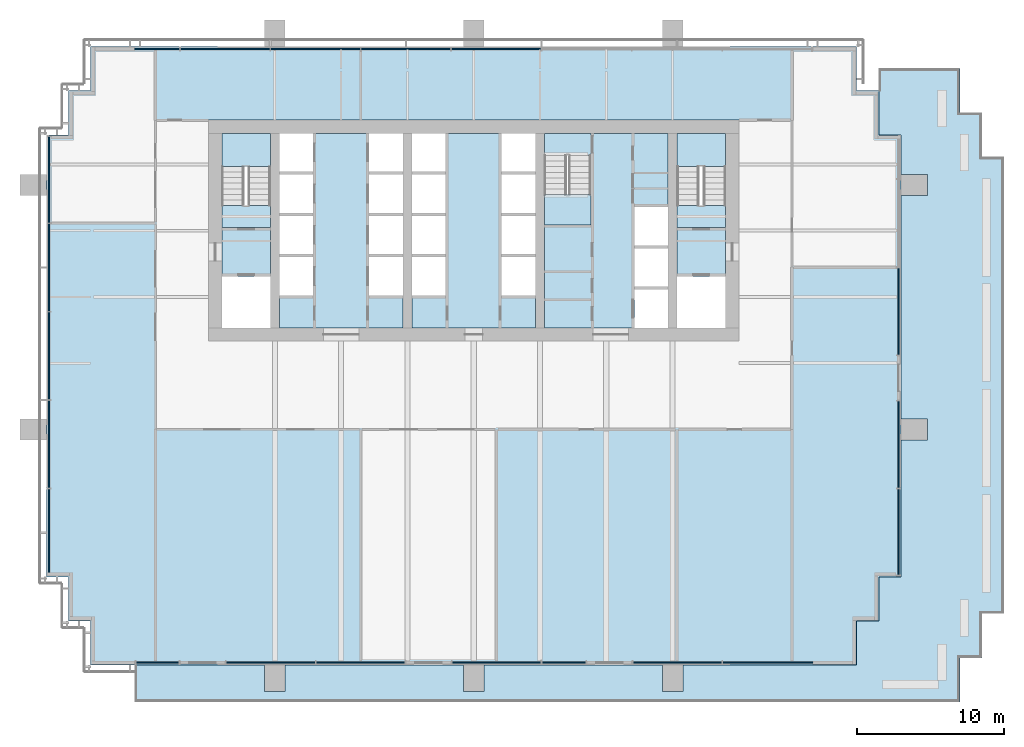
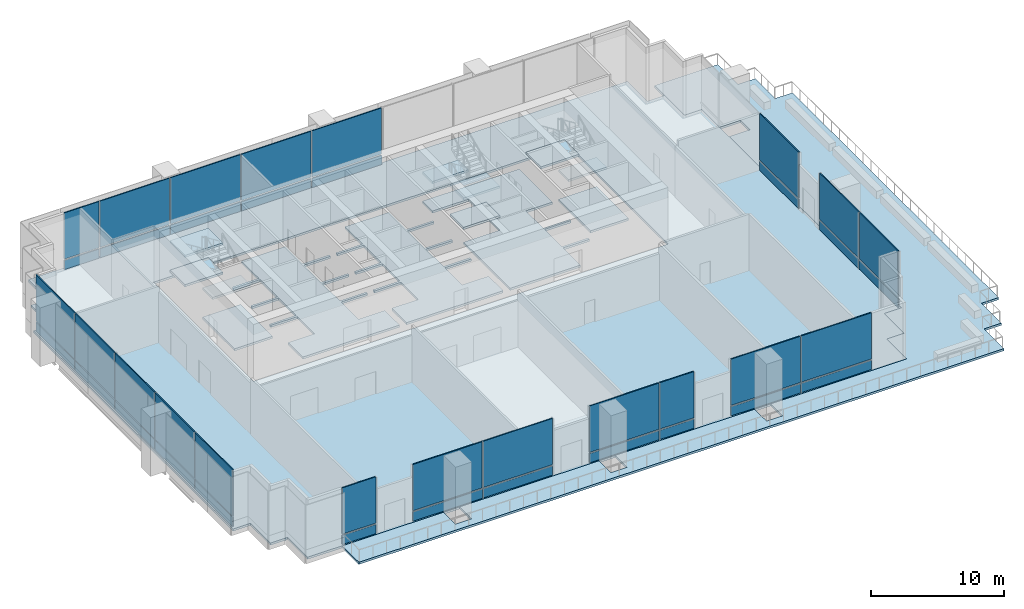
# One storey, part 6 of 14: 40 plates, 15 slabs, 11 elements without a shape of their own.
"""IFC4 building model written with IfcOpenShell, lengths in metres."""

from ifc_helpers import new_model, si_unit, direction, frame, origin, origin_2d, place, context, subcontext, project, spatial, polyline, rectangle, outline, extrude, material, layer, layer_set, type_object, element, aggregate, save


model = new_model("IFC4")

# Units and contexts
model_context = context("Model", 3, precision=1e-05, world=origin(), true_north=direction((0.0, 1.0)))
body_context = subcontext(model_context, "Body", "Model", "MODEL_VIEW")
ifc_project = project(units=[si_unit("LENGTHUNIT", "METRE"), si_unit("AREAUNIT", "SQUARE_METRE"), si_unit("VOLUMEUNIT", "CUBIC_METRE"), si_unit("PLANEANGLEUNIT", "RADIAN"), si_unit("MASSUNIT", "GRAM", prefix="KILO")], contexts=[model_context])

# Site, building, storey
site_placement = place(None, origin())
site = spatial("IfcSite", under=ifc_project, at=site_placement, CompositionType="ELEMENT")
building_placement = place(site_placement, origin())
building = spatial("IfcBuilding", under=site, at=building_placement, Name="Rattan Terrace Tower", CompositionType="ELEMENT")
storey_placement = place(building_placement, frame((0.0, 0.0, 120.699951171875)))
storey = spatial("IfcBuildingStorey", under=building, at=storey_placement, Name="L27", CompositionType="ELEMENT", Elevation=120.699951171875)

# Stair, slabs
ifc_material_1 = material(Name="Concrete C40/50", Category="concrete")
stair_type = type_object("IfcStairType", Name="Core exit stair 1500", PredefinedType="HALF_TURN_STAIR", material=ifc_material_1)
stair_1_placement = place(storey_placement, origin())
stair_1 = element("IfcStair", 1, at=stair_1_placement, inside=storey, type_object=stair_type, Name="L27 exit stair 1", PredefinedType="HALF_TURN_STAIR")
ifc_material_2 = material(Name="Concrete C40/50", Category="concrete")
ifc_layer_1 = layer(ifc_material_2, 0.199951171875)
ifc_layer_set_1 = layer_set([ifc_layer_1], Name="Core exit stair landing")
slab_type_1 = type_object("IfcSlabType", Name="Core exit stair landing", PredefinedType="LANDING", material=ifc_layer_set_1)
slab_1_placement = place(storey_placement, frame((0.0, 0.0, 1.150146484375)))
slab_1 = element("IfcSlab", 2, at=slab_1_placement, type_object=slab_type_1, Name="S1 landing 1", PredefinedType="LANDING", context=body_context, shape_type="SweptSolid", body=[
    extrude(outline(polyline([(-13.800048828125, 4.360107421875), (-13.800048828125, 6.60009765625), (-17.10009765625, 6.60009765625), (-17.10009765625, 4.360107421875), (-13.800048828125, 4.360107421875)])), origin(), (0.0, 0.0, 1.0), 0.199951171875),
])
slab_2_placement = place(storey_placement, frame((0.0, 0.0, 2.5)))
slab_2 = element("IfcSlab", 3, at=slab_2_placement, type_object=slab_type_1, Name="S1 landing 2", PredefinedType="LANDING", context=body_context, shape_type="SweptSolid", body=[
    extrude(outline(polyline([(-13.800048828125, 0.199951171875), (-13.800048828125, 1.699951171875), (-17.10009765625, 1.699951171875), (-17.10009765625, 0.199951171875), (-13.800048828125, 0.199951171875)])), origin(), (0.0, 0.0, 1.0), 0.199951171875),
])
slab_3_placement = place(storey_placement, frame((0.0, 0.0, 3.85009765625)))
slab_3 = element("IfcSlab", 4, at=slab_3_placement, type_object=slab_type_1, Name="S1 landing 3", PredefinedType="LANDING", context=body_context, shape_type="SweptSolid", body=[
    extrude(outline(polyline([(-13.800048828125, 4.360107421875), (-13.800048828125, 6.60009765625), (-17.10009765625, 6.60009765625), (-17.10009765625, 4.360107421875), (-13.800048828125, 4.360107421875)])), origin(), (0.0, 0.0, 1.0), 0.199951171875),
])
aggregate(stair_1, [slab_1, slab_2, slab_3])

stair_2_placement = place(storey_placement, origin())
stair_2 = element("IfcStair", 5, at=stair_2_placement, inside=storey, type_object=stair_type, Name="L27 exit stair 2", PredefinedType="HALF_TURN_STAIR")
slab_4_placement = place(storey_placement, frame((0.0, 0.0, 1.150146484375)))
slab_4 = element("IfcSlab", 6, at=slab_4_placement, type_object=slab_type_1, Name="S2 landing 1", PredefinedType="LANDING", context=body_context, shape_type="SweptSolid", body=[
    extrude(outline(polyline([(17.10009765625, 4.360107421875), (17.10009765625, 6.60009765625), (13.800048828125, 6.60009765625), (13.800048828125, 4.360107421875), (17.10009765625, 4.360107421875)])), origin(), (0.0, 0.0, 1.0), 0.199951171875),
])
slab_5_placement = place(storey_placement, frame((0.0, 0.0, 2.5)))
slab_5 = element("IfcSlab", 7, at=slab_5_placement, type_object=slab_type_1, Name="S2 landing 2", PredefinedType="LANDING", context=body_context, shape_type="SweptSolid", body=[
    extrude(outline(polyline([(17.10009765625, 0.199951171875), (17.10009765625, 1.699951171875), (13.800048828125, 1.699951171875), (13.800048828125, 0.199951171875), (17.10009765625, 0.199951171875)])), origin(), (0.0, 0.0, 1.0), 0.199951171875),
])
aggregate(stair_2, [slab_4, slab_5])

stair_3_placement = place(storey_placement, origin())
stair_3 = element("IfcStair", 8, at=stair_3_placement, inside=storey, type_object=stair_type, Name="L27 exit stair 3", PredefinedType="HALF_TURN_STAIR")
slab_6_placement = place(storey_placement, frame((0.0, 0.0, 1.150146484375)))
slab_6 = element("IfcSlab", 9, at=slab_6_placement, type_object=slab_type_1, Name="S3 landing 1", PredefinedType="LANDING", context=body_context, shape_type="SweptSolid", body=[
    extrude(outline(polyline([(4.800048828125, 2.43994140625), (4.800048828125, 0.39990234375), (7.949951171875, 0.39990234375), (7.949951171875, 2.43994140625), (4.800048828125, 2.43994140625)])), origin(), (0.0, 0.0, 1.0), 0.199951171875),
])
slab_7_placement = place(storey_placement, frame((0.0, 0.0, 2.5)))
slab_7 = element("IfcSlab", 10, at=slab_7_placement, type_object=slab_type_1, Name="S3 landing 2", PredefinedType="LANDING", context=body_context, shape_type="SweptSolid", body=[
    extrude(outline(polyline([(4.800048828125, 6.60009765625), (4.800048828125, 5.10009765625), (7.949951171875, 5.10009765625), (7.949951171875, 6.60009765625), (4.800048828125, 6.60009765625)])), origin(), (0.0, 0.0, 1.0), 0.199951171875),
])
slab_8_placement = place(storey_placement, frame((0.0, 0.0, 3.85009765625)))
slab_8 = element("IfcSlab", 11, at=slab_8_placement, type_object=slab_type_1, Name="S3 landing 3", PredefinedType="LANDING", context=body_context, shape_type="SweptSolid", body=[
    extrude(outline(polyline([(4.800048828125, 2.43994140625), (4.800048828125, 0.39990234375), (7.949951171875, 0.39990234375), (7.949951171875, 2.43994140625), (4.800048828125, 2.43994140625)])), origin(), (0.0, 0.0, 1.0), 0.199951171875),
])
aggregate(stair_3, [slab_6, slab_7, slab_8])

# Slabs
ifc_material_3 = material(Name="Concrete C35/45", Category="concrete")
ifc_layer_2 = layer(ifc_material_3, 0.199951171875)
ifc_layer_set_2 = layer_set([ifc_layer_2], Name="Frame refuge floor slab 200")
slab_type_2 = type_object("IfcSlabType", Name="Frame refuge floor slab 200", PredefinedType="FLOOR", material=ifc_layer_set_2)
slab_9_placement = place(storey_placement, frame((0.0, 0.0, -0.199951171875)))
element("IfcSlab", 12, at=slab_9_placement, inside=storey, type_object=slab_type_2, Name="Floor slab", PredefinedType="FLOOR", context=body_context, shape_type="SweptSolid", body=[
    extrude(outline(polyline([(-23.0, -29.5), (23.0, -29.5), (26.0, -29.5), (26.0, -26.5), (27.5, -26.5), (27.5, -23.5), (29.0, -23.5), (29.0, 6.5), (27.5, 6.5), (27.5, 9.5), (26.0, 9.5), (26.0, 12.5), (23.0, 12.5), (-23.0, 12.5), (-26.0, 12.5), (-26.0, 9.5), (-27.5, 9.5), (-27.5, 6.5), (-29.0, 6.5), (-29.0, -23.5), (-27.5, -23.5), (-27.5, -26.5), (-26.0, -26.5), (-26.0, -29.5), (-23.0, -29.5)]), holes=[polyline([(-18.0, -6.60009765625), (-18.0, -7.5), (18.0, -7.5), (18.0, -6.60009765625), (18.0, 6.60009765625), (18.0, 7.5), (-18.0, 7.5), (-18.0, 6.60009765625), (-18.0, -6.60009765625)])]), origin(), (0.0, 0.0, 1.0), 0.199951171875),
])
slab_10_placement = place(storey_placement, frame((0.0, 0.0, -0.199951171875)))
element("IfcSlab", 13, at=slab_10_placement, inside=storey, type_object=slab_type_2, Name="Floor slab", PredefinedType="FLOOR", context=body_context, shape_type="SweptSolid", body=[
    extrude(outline(polyline([(-10.89990234375, 6.60009765625), (-10.89990234375, 4.0), (-13.199951171875, 4.0), (-13.199951171875, 3.800048828125), (-10.89990234375, 3.800048828125), (-10.89990234375, 1.199951171875), (-13.199951171875, 1.199951171875), (-13.199951171875, 1.0), (-10.89990234375, 1.0), (-10.89990234375, -1.60009765625), (-13.199951171875, -1.60009765625), (-13.199951171875, -1.800048828125), (-10.89990234375, -1.800048828125), (-10.89990234375, -4.39990234375), (-13.199951171875, -4.39990234375), (-13.199951171875, -6.60009765625), (-4.800048828125, -6.60009765625), (-4.800048828125, -4.39990234375), (-7.10009765625, -4.39990234375), (-7.10009765625, -1.800048828125), (-4.800048828125, -1.800048828125), (-4.800048828125, -1.60009765625), (-7.10009765625, -1.60009765625), (-7.10009765625, 1.0), (-4.800048828125, 1.0), (-4.800048828125, 1.199951171875), (-7.10009765625, 1.199951171875), (-7.10009765625, 3.800048828125), (-4.800048828125, 3.800048828125), (-4.800048828125, 4.0), (-7.10009765625, 4.0), (-7.10009765625, 6.60009765625), (-10.89990234375, 6.60009765625)])), origin(), (0.0, 0.0, 1.0), 0.199951171875),
])
slab_11_placement = place(storey_placement, frame((0.0, 0.0, -0.199951171875)))
element("IfcSlab", 14, at=slab_11_placement, inside=storey, type_object=slab_type_2, Name="Floor slab", PredefinedType="FLOOR", context=body_context, shape_type="SweptSolid", body=[
    extrude(outline(polyline([(-17.10009765625, -3.10009765625), (-13.800048828125, -3.10009765625), (-13.800048828125, 1.7099609375), (-17.10009765625, 1.7099609375), (-17.10009765625, -3.10009765625)])), origin(), (0.0, 0.0, 1.0), 0.199951171875),
])
slab_12_placement = place(storey_placement, frame((0.0, 0.0, -0.199951171875)))
element("IfcSlab", 15, at=slab_12_placement, inside=storey, type_object=slab_type_2, Name="Floor slab", PredefinedType="FLOOR", context=body_context, shape_type="SweptSolid", body=[
    extrude(outline(polyline([(-4.199951171875, 4.0), (-4.199951171875, 3.800048828125), (-1.89990234375, 3.800048828125), (-1.89990234375, 1.199951171875), (-4.199951171875, 1.199951171875), (-4.199951171875, 1.0), (-1.89990234375, 1.0), (-1.89990234375, -1.60009765625), (-4.199951171875, -1.60009765625), (-4.199951171875, -1.800048828125), (-1.89990234375, -1.800048828125), (-1.89990234375, -4.39990234375), (-4.199951171875, -4.39990234375), (-4.199951171875, -6.60009765625), (4.199951171875, -6.60009765625), (4.199951171875, -4.39990234375), (1.89990234375, -4.39990234375), (1.89990234375, -1.800048828125), (4.199951171875, -1.800048828125), (4.199951171875, -1.60009765625), (1.89990234375, -1.60009765625), (1.89990234375, 1.0), (4.199951171875, 1.0), (4.199951171875, 1.199951171875), (1.89990234375, 1.199951171875), (1.89990234375, 3.800048828125), (4.199951171875, 3.800048828125), (4.199951171875, 4.0), (1.89990234375, 4.0), (1.89990234375, 6.60009765625), (-1.89990234375, 6.60009765625), (-1.89990234375, 4.0), (-4.199951171875, 4.0)])), origin(), (0.0, 0.0, 1.0), 0.199951171875),
])
slab_13_placement = place(storey_placement, frame((0.0, 0.0, -0.199951171875)))
element("IfcSlab", 16, at=slab_13_placement, inside=storey, type_object=slab_type_2, Name="Floor slab", PredefinedType="FLOOR", context=body_context, shape_type="SweptSolid", body=[
    extrude(outline(polyline([(4.800048828125, 5.090087890625), (7.949951171875, 5.090087890625), (7.949951171875, 0.39990234375), (4.800048828125, 0.39990234375), (4.800048828125, -6.60009765625), (10.89990234375, -6.60009765625), (10.89990234375, -4.0), (13.199951171875, -4.0), (13.199951171875, -3.800048828125), (10.89990234375, -3.800048828125), (10.89990234375, -1.199951171875), (13.199951171875, -1.199951171875), (13.199951171875, -1.0), (10.89990234375, -1.0), (10.89990234375, 1.60009765625), (13.199951171875, 1.60009765625), (13.199951171875, 6.60009765625), (4.800048828125, 6.60009765625), (4.800048828125, 5.090087890625)])), origin(), (0.0, 0.0, 1.0), 0.199951171875),
])
slab_14_placement = place(storey_placement, frame((0.0, 0.0, -0.199951171875)))
element("IfcSlab", 17, at=slab_14_placement, inside=storey, type_object=slab_type_2, Name="Floor slab", PredefinedType="FLOOR", context=body_context, shape_type="SweptSolid", body=[
    extrude(outline(polyline([(13.800048828125, -3.10009765625), (17.10009765625, -3.10009765625), (17.10009765625, 1.7099609375), (13.800048828125, 1.7099609375), (13.800048828125, -3.10009765625)])), origin(), (0.0, 0.0, 1.0), 0.199951171875),
])
ifc_material_4 = material(Name="Concrete C35/45", Category="concrete")
ifc_layer_3 = layer(ifc_material_4, 0.199951171875)
ifc_layer_set_3 = layer_set([ifc_layer_3], Name="Frame terrace slab 200")
slab_type_3 = type_object("IfcSlabType", Name="Frame terrace slab 200", PredefinedType="ROOF", material=ifc_layer_set_3)
slab_15_placement = place(storey_placement, frame((0.0, 0.0, -0.199951171875)))
element("IfcSlab", 18, at=slab_15_placement, inside=storey, type_object=slab_type_3, Name="Terrace slab", PredefinedType="ROOF", context=body_context, shape_type="SweptSolid", body=[
    extrude(outline(polyline([(29.0, 6.5), (29.0, 3.800048828125), (30.800048828125, 3.800048828125), (30.800048828125, 2.39990234375), (29.0, 2.39990234375), (29.0, -12.800048828125), (30.800048828125, -12.800048828125), (30.800048828125, -14.199951171875), (29.0, -14.199951171875), (29.0, -23.5), (27.5, -23.5), (27.5, -26.5), (26.0, -26.5), (26.0, -29.5), (14.199951171875, -29.5), (14.199951171875, -31.300048828125), (12.800048828125, -31.300048828125), (12.800048828125, -29.5), (0.699951171875, -29.5), (0.699951171875, -31.300048828125), (-0.699951171875, -31.300048828125), (-0.699951171875, -29.5), (-12.800048828125, -29.5), (-12.800048828125, -31.300048828125), (-14.199951171875, -31.300048828125), (-14.199951171875, -29.5), (-23.0, -29.5), (-23.0, -32.0), (33.0, -32.0), (33.0, -29.0), (34.5, -29.0), (34.5, -26.0), (36.0, -26.0), (36.0, 5.0), (34.5, 5.0), (34.5, 8.0), (33.0, 8.0), (33.0, 11.0), (27.5, 11.0), (27.5, 6.5), (29.0, 6.5)])), origin(), (0.0, 0.0, 1.0), 0.199951171875),
])

# Curtain wall, plates
ifc_material_5 = material(Name="Steel fins, aluminium and glass", Category="steel")
ifc_layer_4 = layer(ifc_material_5, 0.300048828125)
ifc_layer_set_4 = layer_set([ifc_layer_4], Name="Sky Lobby Stick Curtain Wall")
curtain_wall_type = type_object("IfcCurtainWallType", Name="Sky Lobby Stick Curtain Wall", PredefinedType="NOTDEFINED", material=ifc_layer_set_4)
curtain_wall_1_placement = place(storey_placement, origin())
curtain_wall_1 = element("IfcCurtainWall", 19, at=curtain_wall_1_placement, inside=storey, type_object=curtain_wall_type, Name="Sky lobby curtain wall L27-1", PredefinedType="NOTDEFINED")
ifc_material_6 = material(Name="Insulated aluminium spandrel panel", Category="aluminium")
ifc_layer_5 = layer(ifc_material_6, 0.10009765625)
ifc_layer_set_5 = layer_set([ifc_layer_5], Name="Sky Lobby CW Insulated Panel")
plate_type_1 = type_object("IfcPlateType", Name="Sky Lobby CW Insulated Panel", PredefinedType="CURTAIN_PANEL", material=ifc_layer_set_5)
plate_1_placement = place(storey_placement, frame((28.830078125, -20.45751953125, 0.0), z_axis=(0.0, 0.0, 1.0), x_axis=(0.0, 1.0, 0.0)))
plate_1 = element("IfcPlate", 20, at=plate_1_placement, type_object=plate_type_1, Name="Panel cwl-L27-001.1.1", PredefinedType="CURTAIN_PANEL", context=body_context, shape_type="SweptSolid", body=[
    extrude(rectangle(XDim=5.8349609375, YDim=0.10009765625, at=origin_2d()), origin(), (0.0, 0.0, 1.0), 0.840087890625),
])
plate_2_placement = place(storey_placement, frame((28.830078125, -14.52001953125, 0.0), z_axis=(0.0, 0.0, 1.0), x_axis=(0.0, 1.0, 0.0)))
plate_2 = element("IfcPlate", 21, at=plate_2_placement, type_object=plate_type_1, Name="Panel cwl-L27-001.2.1", PredefinedType="CURTAIN_PANEL", context=body_context, shape_type="SweptSolid", body=[
    extrude(rectangle(XDim=5.8798828125, YDim=0.10009765625, at=origin_2d()), origin(), (0.0, 0.0, 1.0), 0.840087890625),
])

# Curtain wall, plate
curtain_wall_2_placement = place(storey_placement, origin())
curtain_wall_2 = element("IfcCurtainWall", 22, at=curtain_wall_2_placement, inside=storey, type_object=curtain_wall_type, Name="Sky lobby curtain wall L27-2", PredefinedType="NOTDEFINED")
plate_3_placement = place(storey_placement, frame((28.830078125, -5.47998046875, 0.0), z_axis=(0.0, 0.0, 1.0), x_axis=(0.0, 1.0, 0.0)))
plate_3 = element("IfcPlate", 23, at=plate_3_placement, type_object=plate_type_1, Name="Panel cwl-L27-002.1.1", PredefinedType="CURTAIN_PANEL", context=body_context, shape_type="SweptSolid", body=[
    extrude(rectangle(XDim=5.8798828125, YDim=0.10009765625, at=origin_2d()), origin(), (0.0, 0.0, 1.0), 0.840087890625),
])

# Curtain wall, plates
curtain_wall_3_placement = place(storey_placement, origin())
curtain_wall_3 = element("IfcCurtainWall", 24, at=curtain_wall_3_placement, inside=storey, type_object=curtain_wall_type, Name="Sky lobby curtain wall L27-3", PredefinedType="NOTDEFINED")
plate_4_placement = place(storey_placement, frame((1.531005859375, 12.330078125, 0.0), z_axis=(0.0, 0.0, 1.0), x_axis=(-1.0, 0.0, 0.0)))
plate_4 = element("IfcPlate", 25, at=plate_4_placement, type_object=plate_type_1, Name="Panel cwl-L27-003.4.1", PredefinedType="CURTAIN_PANEL", context=body_context, shape_type="SweptSolid", body=[
    extrude(rectangle(XDim=6.053955078125, YDim=0.10009765625, at=origin_2d()), origin(), (0.0, 0.0, 1.0), 0.840087890625),
])
plate_5_placement = place(storey_placement, frame((-4.60302734375, 12.330078125, 0.0), z_axis=(0.0, 0.0, 1.0), x_axis=(-1.0, 0.0, 0.0)))
plate_5 = element("IfcPlate", 26, at=plate_5_placement, type_object=plate_type_1, Name="Panel cwl-L27-003.5.1", PredefinedType="CURTAIN_PANEL", context=body_context, shape_type="SweptSolid", body=[
    extrude(rectangle(XDim=6.053955078125, YDim=0.10009765625, at=origin_2d()), origin(), (0.0, 0.0, 1.0), 0.840087890625),
])
plate_6_placement = place(storey_placement, frame((-10.737060546875, 12.330078125, 0.0), z_axis=(0.0, 0.0, 1.0), x_axis=(-1.0, 0.0, 0.0)))
plate_6 = element("IfcPlate", 27, at=plate_6_placement, type_object=plate_type_1, Name="Panel cwl-L27-003.6.1", PredefinedType="CURTAIN_PANEL", context=body_context, shape_type="SweptSolid", body=[
    extrude(rectangle(XDim=6.053955078125, YDim=0.10009765625, at=origin_2d()), origin(), (0.0, 0.0, 1.0), 0.840087890625),
])
plate_7_placement = place(storey_placement, frame((-16.87109375, 12.330078125, 0.0), z_axis=(0.0, 0.0, 1.0), x_axis=(-1.0, 0.0, 0.0)))
plate_7 = element("IfcPlate", 28, at=plate_7_placement, type_object=plate_type_1, Name="Panel cwl-L27-003.7.1", PredefinedType="CURTAIN_PANEL", context=body_context, shape_type="SweptSolid", body=[
    extrude(rectangle(XDim=6.053955078125, YDim=0.10009765625, at=origin_2d()), origin(), (0.0, 0.0, 1.0), 0.840087890625),
])
plate_8_placement = place(storey_placement, frame((-21.489013671875, 12.330078125, 0.0), z_axis=(0.0, 0.0, 1.0), x_axis=(-1.0, 0.0, 0.0)))
plate_8 = element("IfcPlate", 29, at=plate_8_placement, type_object=plate_type_1, Name="Panel cwl-L27-003.8.1", PredefinedType="CURTAIN_PANEL", context=body_context, shape_type="SweptSolid", body=[
    extrude(rectangle(XDim=3.02197265625, YDim=0.10009765625, at=origin_2d()), origin(), (0.0, 0.0, 1.0), 0.840087890625),
])

curtain_wall_4_placement = place(storey_placement, origin())
curtain_wall_4 = element("IfcCurtainWall", 30, at=curtain_wall_4_placement, inside=storey, type_object=curtain_wall_type, Name="Sky lobby curtain wall L27-4", PredefinedType="NOTDEFINED")
plate_9_placement = place(storey_placement, frame((-28.830078125, 3.45751953125, 0.0), z_axis=(0.0, 0.0, 1.0), x_axis=(0.0, -1.0, 0.0)))
plate_9 = element("IfcPlate", 31, at=plate_9_placement, type_object=plate_type_1, Name="Panel cwl-L27-004.1.1", PredefinedType="CURTAIN_PANEL", context=body_context, shape_type="SweptSolid", body=[
    extrude(rectangle(XDim=5.8349609375, YDim=0.10009765625, at=origin_2d()), origin(), (0.0, 0.0, 1.0), 0.840087890625),
])
plate_10_placement = place(storey_placement, frame((-28.830078125, -2.5, 0.0), z_axis=(0.0, 0.0, 1.0), x_axis=(0.0, -1.0, 0.0)))
plate_10 = element("IfcPlate", 32, at=plate_10_placement, type_object=plate_type_1, Name="Panel cwl-L27-004.2.1", PredefinedType="CURTAIN_PANEL", context=body_context, shape_type="SweptSolid", body=[
    extrude(rectangle(XDim=5.919921875, YDim=0.10009765625, at=origin_2d()), origin(), (0.0, 0.0, 1.0), 0.840087890625),
])
plate_11_placement = place(storey_placement, frame((-28.830078125, -8.5, 0.0), z_axis=(0.0, 0.0, 1.0), x_axis=(0.0, -1.0, 0.0)))
plate_11 = element("IfcPlate", 33, at=plate_11_placement, type_object=plate_type_1, Name="Panel cwl-L27-004.3.1", PredefinedType="CURTAIN_PANEL", context=body_context, shape_type="SweptSolid", body=[
    extrude(rectangle(XDim=5.919921875, YDim=0.10009765625, at=origin_2d()), origin(), (0.0, 0.0, 1.0), 0.840087890625),
])
plate_12_placement = place(storey_placement, frame((-28.830078125, -14.5, 0.0), z_axis=(0.0, 0.0, 1.0), x_axis=(0.0, -1.0, 0.0)))
plate_12 = element("IfcPlate", 34, at=plate_12_placement, type_object=plate_type_1, Name="Panel cwl-L27-004.4.1", PredefinedType="CURTAIN_PANEL", context=body_context, shape_type="SweptSolid", body=[
    extrude(rectangle(XDim=5.919921875, YDim=0.10009765625, at=origin_2d()), origin(), (0.0, 0.0, 1.0), 0.840087890625),
])
plate_13_placement = place(storey_placement, frame((-28.830078125, -20.37255859375, 0.0), z_axis=(0.0, 0.0, 1.0), x_axis=(0.0, -1.0, 0.0)))
plate_13 = element("IfcPlate", 35, at=plate_13_placement, type_object=plate_type_1, Name="Panel cwl-L27-004.5.1", PredefinedType="CURTAIN_PANEL", context=body_context, shape_type="SweptSolid", body=[
    extrude(rectangle(XDim=5.6650390625, YDim=0.10009765625, at=origin_2d()), origin(), (0.0, 0.0, 1.0), 0.840087890625),
])

# Curtain wall, plate
curtain_wall_5_placement = place(storey_placement, origin())
curtain_wall_5 = element("IfcCurtainWall", 36, at=curtain_wall_5_placement, inside=storey, type_object=curtain_wall_type, Name="Sky lobby curtain wall L27-5", PredefinedType="NOTDEFINED")
plate_14_placement = place(storey_placement, frame((-21.466552734375, -29.330078125, 0.0), z_axis=(0.0, 0.0, 1.0), x_axis=(1.0, 0.0, 0.0)))
plate_14 = element("IfcPlate", 37, at=plate_14_placement, type_object=plate_type_1, Name="Panel cwl-L27-005.1.1", PredefinedType="CURTAIN_PANEL", context=body_context, shape_type="SweptSolid", body=[
    extrude(rectangle(XDim=2.906982421875, YDim=0.10009765625, at=origin_2d()), origin(), (0.0, 0.0, 1.0), 0.840087890625),
])

# Curtain wall, plates
curtain_wall_6_placement = place(storey_placement, origin())
curtain_wall_6 = element("IfcCurtainWall", 38, at=curtain_wall_6_placement, inside=storey, type_object=curtain_wall_type, Name="Sky lobby curtain wall L27-6", PredefinedType="NOTDEFINED")
plate_15_placement = place(storey_placement, frame((-13.779052734375, -29.330078125, 0.0), z_axis=(0.0, 0.0, 1.0), x_axis=(1.0, 0.0, 0.0)))
plate_15 = element("IfcPlate", 39, at=plate_15_placement, type_object=plate_type_1, Name="Panel cwl-L27-006.1.1", PredefinedType="CURTAIN_PANEL", context=body_context, shape_type="SweptSolid", body=[
    extrude(rectangle(XDim=6.013916015625, YDim=0.10009765625, at=origin_2d()), origin(), (0.0, 0.0, 1.0), 0.840087890625),
])
plate_16_placement = place(storey_placement, frame((-7.68505859375, -29.330078125, 0.0), z_axis=(0.0, 0.0, 1.0), x_axis=(1.0, 0.0, 0.0)))
plate_16 = element("IfcPlate", 40, at=plate_16_placement, type_object=plate_type_1, Name="Panel cwl-L27-006.2.1", PredefinedType="CURTAIN_PANEL", context=body_context, shape_type="SweptSolid", body=[
    extrude(rectangle(XDim=6.013916015625, YDim=0.10009765625, at=origin_2d()), origin(), (0.0, 0.0, 1.0), 0.840087890625),
])

curtain_wall_7_placement = place(storey_placement, origin())
curtain_wall_7 = element("IfcCurtainWall", 41, at=curtain_wall_7_placement, inside=storey, type_object=curtain_wall_type, Name="Sky lobby curtain wall L27-7", PredefinedType="NOTDEFINED")
plate_17_placement = place(storey_placement, frame((1.555908203125, -29.330078125, 0.0), z_axis=(0.0, 0.0, 1.0), x_axis=(1.0, 0.0, 0.0)))
plate_17 = element("IfcPlate", 42, at=plate_17_placement, type_object=plate_type_1, Name="Panel cwl-L27-007.1.1", PredefinedType="CURTAIN_PANEL", context=body_context, shape_type="SweptSolid", body=[
    extrude(rectangle(XDim=6.013916015625, YDim=0.10009765625, at=origin_2d()), origin(), (0.0, 0.0, 1.0), 0.840087890625),
])
plate_18_placement = place(storey_placement, frame((6.116455078125, -29.330078125, 0.0), z_axis=(0.0, 0.0, 1.0), x_axis=(1.0, 0.0, 0.0)))
plate_18 = element("IfcPlate", 43, at=plate_18_placement, type_object=plate_type_1, Name="Panel cwl-L27-007.2.1", PredefinedType="CURTAIN_PANEL", context=body_context, shape_type="SweptSolid", body=[
    extrude(rectangle(XDim=2.947021484375, YDim=0.10009765625, at=origin_2d()), origin(), (0.0, 0.0, 1.0), 0.840087890625),
])

curtain_wall_8_placement = place(storey_placement, origin())
curtain_wall_8 = element("IfcCurtainWall", 44, at=curtain_wall_8_placement, inside=storey, type_object=curtain_wall_type, Name="Sky lobby curtain wall L27-8", PredefinedType="NOTDEFINED")
plate_19_placement = place(storey_placement, frame((13.823974609375, -29.330078125, 0.0), z_axis=(0.0, 0.0, 1.0), x_axis=(1.0, 0.0, 0.0)))
plate_19 = element("IfcPlate", 45, at=plate_19_placement, type_object=plate_type_1, Name="Panel cwl-L27-008.1.1", PredefinedType="CURTAIN_PANEL", context=body_context, shape_type="SweptSolid", body=[
    extrude(rectangle(XDim=6.013916015625, YDim=0.10009765625, at=origin_2d()), origin(), (0.0, 0.0, 1.0), 0.840087890625),
])
plate_20_placement = place(storey_placement, frame((19.95556640625, -29.330078125, 0.0), z_axis=(0.0, 0.0, 1.0), x_axis=(1.0, 0.0, 0.0)))
plate_20 = element("IfcPlate", 46, at=plate_20_placement, type_object=plate_type_1, Name="Panel cwl-L27-008.2.1", PredefinedType="CURTAIN_PANEL", context=body_context, shape_type="SweptSolid", body=[
    extrude(rectangle(XDim=6.089111328125, YDim=0.10009765625, at=origin_2d()), origin(), (0.0, 0.0, 1.0), 0.840087890625),
])

# Plate
ifc_material_7 = material(Name="Laminated low-iron glass", Category="glass")
ifc_layer_6 = layer(ifc_material_7, 0.090087890625)
ifc_layer_set_6 = layer_set([ifc_layer_6], Name="Sky Lobby CW Vision Panel")
plate_type_2 = type_object("IfcPlateType", Name="Sky Lobby CW Vision Panel", PredefinedType="CURTAIN_PANEL", material=ifc_layer_set_6)
plate_21_placement = place(storey_placement, frame((28.830078125, -20.45751953125, 0.9599609375), z_axis=(0.0, 0.0, 1.0), x_axis=(0.0, 1.0, 0.0)))
plate_21 = element("IfcPlate", 47, at=plate_21_placement, type_object=plate_type_2, Name="Panel cwl-L27-001.1.2", PredefinedType="CURTAIN_PANEL", context=body_context, shape_type="SweptSolid", body=[
    extrude(rectangle(XDim=5.8349609375, YDim=0.090087890625, at=origin_2d()), origin(), (0.0, 0.0, 1.0), 4.239990234375),
])

plate_22_placement = place(storey_placement, frame((28.830078125, -14.52001953125, 0.9599609375), z_axis=(0.0, 0.0, 1.0), x_axis=(0.0, 1.0, 0.0)))
plate_22 = element("IfcPlate", 48, at=plate_22_placement, type_object=plate_type_2, Name="Panel cwl-L27-001.2.2", PredefinedType="CURTAIN_PANEL", context=body_context, shape_type="SweptSolid", body=[
    extrude(rectangle(XDim=5.8798828125, YDim=0.090087890625, at=origin_2d()), origin(), (0.0, 0.0, 1.0), 4.239990234375),
])

aggregate(curtain_wall_1, [plate_1, plate_21, plate_2, plate_22])

plate_23_placement = place(storey_placement, frame((28.830078125, -5.47998046875, 0.9599609375), z_axis=(0.0, 0.0, 1.0), x_axis=(0.0, 1.0, 0.0)))
plate_23 = element("IfcPlate", 49, at=plate_23_placement, type_object=plate_type_2, Name="Panel cwl-L27-002.1.2", PredefinedType="CURTAIN_PANEL", context=body_context, shape_type="SweptSolid", body=[
    extrude(rectangle(XDim=5.8798828125, YDim=0.090087890625, at=origin_2d()), origin(), (0.0, 0.0, 1.0), 4.239990234375),
])

aggregate(curtain_wall_2, [plate_3, plate_23])

plate_24_placement = place(storey_placement, frame((1.531005859375, 12.330078125, 0.9599609375), z_axis=(0.0, 0.0, 1.0), x_axis=(-1.0, 0.0, 0.0)))
plate_24 = element("IfcPlate", 50, at=plate_24_placement, type_object=plate_type_2, Name="Panel cwl-L27-003.4.2", PredefinedType="CURTAIN_PANEL", context=body_context, shape_type="SweptSolid", body=[
    extrude(rectangle(XDim=6.053955078125, YDim=0.090087890625, at=origin_2d()), origin(), (0.0, 0.0, 1.0), 4.239990234375),
])

plate_25_placement = place(storey_placement, frame((-4.60302734375, 12.330078125, 0.9599609375), z_axis=(0.0, 0.0, 1.0), x_axis=(-1.0, 0.0, 0.0)))
plate_25 = element("IfcPlate", 51, at=plate_25_placement, type_object=plate_type_2, Name="Panel cwl-L27-003.5.2", PredefinedType="CURTAIN_PANEL", context=body_context, shape_type="SweptSolid", body=[
    extrude(rectangle(XDim=6.053955078125, YDim=0.090087890625, at=origin_2d()), origin(), (0.0, 0.0, 1.0), 4.239990234375),
])

plate_26_placement = place(storey_placement, frame((-10.737060546875, 12.330078125, 0.9599609375), z_axis=(0.0, 0.0, 1.0), x_axis=(-1.0, 0.0, 0.0)))
plate_26 = element("IfcPlate", 52, at=plate_26_placement, type_object=plate_type_2, Name="Panel cwl-L27-003.6.2", PredefinedType="CURTAIN_PANEL", context=body_context, shape_type="SweptSolid", body=[
    extrude(rectangle(XDim=6.053955078125, YDim=0.090087890625, at=origin_2d()), origin(), (0.0, 0.0, 1.0), 4.239990234375),
])

plate_27_placement = place(storey_placement, frame((-16.87109375, 12.330078125, 0.9599609375), z_axis=(0.0, 0.0, 1.0), x_axis=(-1.0, 0.0, 0.0)))
plate_27 = element("IfcPlate", 53, at=plate_27_placement, type_object=plate_type_2, Name="Panel cwl-L27-003.7.2", PredefinedType="CURTAIN_PANEL", context=body_context, shape_type="SweptSolid", body=[
    extrude(rectangle(XDim=6.053955078125, YDim=0.090087890625, at=origin_2d()), origin(), (0.0, 0.0, 1.0), 4.239990234375),
])

plate_28_placement = place(storey_placement, frame((-21.489013671875, 12.330078125, 0.9599609375), z_axis=(0.0, 0.0, 1.0), x_axis=(-1.0, 0.0, 0.0)))
plate_28 = element("IfcPlate", 54, at=plate_28_placement, type_object=plate_type_2, Name="Panel cwl-L27-003.8.2", PredefinedType="CURTAIN_PANEL", context=body_context, shape_type="SweptSolid", body=[
    extrude(rectangle(XDim=3.02197265625, YDim=0.090087890625, at=origin_2d()), origin(), (0.0, 0.0, 1.0), 4.239990234375),
])

aggregate(curtain_wall_3, [plate_4, plate_24, plate_5, plate_25, plate_6, plate_26, plate_7, plate_27, plate_8, plate_28])

plate_29_placement = place(storey_placement, frame((-28.830078125, 3.45751953125, 0.9599609375), z_axis=(0.0, 0.0, 1.0), x_axis=(0.0, -1.0, 0.0)))
plate_29 = element("IfcPlate", 55, at=plate_29_placement, type_object=plate_type_2, Name="Panel cwl-L27-004.1.2", PredefinedType="CURTAIN_PANEL", context=body_context, shape_type="SweptSolid", body=[
    extrude(rectangle(XDim=5.8349609375, YDim=0.090087890625, at=origin_2d()), origin(), (0.0, 0.0, 1.0), 4.239990234375),
])

plate_30_placement = place(storey_placement, frame((-28.830078125, -2.5, 0.9599609375), z_axis=(0.0, 0.0, 1.0), x_axis=(0.0, -1.0, 0.0)))
plate_30 = element("IfcPlate", 56, at=plate_30_placement, type_object=plate_type_2, Name="Panel cwl-L27-004.2.2", PredefinedType="CURTAIN_PANEL", context=body_context, shape_type="SweptSolid", body=[
    extrude(rectangle(XDim=5.919921875, YDim=0.090087890625, at=origin_2d()), origin(), (0.0, 0.0, 1.0), 4.239990234375),
])

plate_31_placement = place(storey_placement, frame((-28.830078125, -8.5, 0.9599609375), z_axis=(0.0, 0.0, 1.0), x_axis=(0.0, -1.0, 0.0)))
plate_31 = element("IfcPlate", 57, at=plate_31_placement, type_object=plate_type_2, Name="Panel cwl-L27-004.3.2", PredefinedType="CURTAIN_PANEL", context=body_context, shape_type="SweptSolid", body=[
    extrude(rectangle(XDim=5.919921875, YDim=0.090087890625, at=origin_2d()), origin(), (0.0, 0.0, 1.0), 4.239990234375),
])

plate_32_placement = place(storey_placement, frame((-28.830078125, -14.5, 0.9599609375), z_axis=(0.0, 0.0, 1.0), x_axis=(0.0, -1.0, 0.0)))
plate_32 = element("IfcPlate", 58, at=plate_32_placement, type_object=plate_type_2, Name="Panel cwl-L27-004.4.2", PredefinedType="CURTAIN_PANEL", context=body_context, shape_type="SweptSolid", body=[
    extrude(rectangle(XDim=5.919921875, YDim=0.090087890625, at=origin_2d()), origin(), (0.0, 0.0, 1.0), 4.239990234375),
])

plate_33_placement = place(storey_placement, frame((-28.830078125, -20.37255859375, 0.9599609375), z_axis=(0.0, 0.0, 1.0), x_axis=(0.0, -1.0, 0.0)))
plate_33 = element("IfcPlate", 59, at=plate_33_placement, type_object=plate_type_2, Name="Panel cwl-L27-004.5.2", PredefinedType="CURTAIN_PANEL", context=body_context, shape_type="SweptSolid", body=[
    extrude(rectangle(XDim=5.6650390625, YDim=0.090087890625, at=origin_2d()), origin(), (0.0, 0.0, 1.0), 4.239990234375),
])

aggregate(curtain_wall_4, [plate_9, plate_29, plate_10, plate_30, plate_11, plate_31, plate_12, plate_32, plate_13, plate_33])

plate_34_placement = place(storey_placement, frame((-21.466552734375, -29.330078125, 0.9599609375), z_axis=(0.0, 0.0, 1.0), x_axis=(1.0, 0.0, 0.0)))
plate_34 = element("IfcPlate", 60, at=plate_34_placement, type_object=plate_type_2, Name="Panel cwl-L27-005.1.2", PredefinedType="CURTAIN_PANEL", context=body_context, shape_type="SweptSolid", body=[
    extrude(rectangle(XDim=2.906982421875, YDim=0.090087890625, at=origin_2d()), origin(), (0.0, 0.0, 1.0), 4.239990234375),
])

aggregate(curtain_wall_5, [plate_14, plate_34])

plate_35_placement = place(storey_placement, frame((-13.779052734375, -29.330078125, 0.9599609375), z_axis=(0.0, 0.0, 1.0), x_axis=(1.0, 0.0, 0.0)))
plate_35 = element("IfcPlate", 61, at=plate_35_placement, type_object=plate_type_2, Name="Panel cwl-L27-006.1.2", PredefinedType="CURTAIN_PANEL", context=body_context, shape_type="SweptSolid", body=[
    extrude(rectangle(XDim=6.013916015625, YDim=0.090087890625, at=origin_2d()), origin(), (0.0, 0.0, 1.0), 4.239990234375),
])

plate_36_placement = place(storey_placement, frame((-7.68505859375, -29.330078125, 0.9599609375), z_axis=(0.0, 0.0, 1.0), x_axis=(1.0, 0.0, 0.0)))
plate_36 = element("IfcPlate", 62, at=plate_36_placement, type_object=plate_type_2, Name="Panel cwl-L27-006.2.2", PredefinedType="CURTAIN_PANEL", context=body_context, shape_type="SweptSolid", body=[
    extrude(rectangle(XDim=6.013916015625, YDim=0.090087890625, at=origin_2d()), origin(), (0.0, 0.0, 1.0), 4.239990234375),
])

aggregate(curtain_wall_6, [plate_15, plate_35, plate_16, plate_36])

plate_37_placement = place(storey_placement, frame((1.555908203125, -29.330078125, 0.9599609375), z_axis=(0.0, 0.0, 1.0), x_axis=(1.0, 0.0, 0.0)))
plate_37 = element("IfcPlate", 63, at=plate_37_placement, type_object=plate_type_2, Name="Panel cwl-L27-007.1.2", PredefinedType="CURTAIN_PANEL", context=body_context, shape_type="SweptSolid", body=[
    extrude(rectangle(XDim=6.013916015625, YDim=0.090087890625, at=origin_2d()), origin(), (0.0, 0.0, 1.0), 4.239990234375),
])

plate_38_placement = place(storey_placement, frame((6.116455078125, -29.330078125, 0.9599609375), z_axis=(0.0, 0.0, 1.0), x_axis=(1.0, 0.0, 0.0)))
plate_38 = element("IfcPlate", 64, at=plate_38_placement, type_object=plate_type_2, Name="Panel cwl-L27-007.2.2", PredefinedType="CURTAIN_PANEL", context=body_context, shape_type="SweptSolid", body=[
    extrude(rectangle(XDim=2.947021484375, YDim=0.090087890625, at=origin_2d()), origin(), (0.0, 0.0, 1.0), 4.239990234375),
])

aggregate(curtain_wall_7, [plate_17, plate_37, plate_18, plate_38])

plate_39_placement = place(storey_placement, frame((13.823974609375, -29.330078125, 0.9599609375), z_axis=(0.0, 0.0, 1.0), x_axis=(1.0, 0.0, 0.0)))
plate_39 = element("IfcPlate", 65, at=plate_39_placement, type_object=plate_type_2, Name="Panel cwl-L27-008.1.2", PredefinedType="CURTAIN_PANEL", context=body_context, shape_type="SweptSolid", body=[
    extrude(rectangle(XDim=6.013916015625, YDim=0.090087890625, at=origin_2d()), origin(), (0.0, 0.0, 1.0), 4.239990234375),
])

plate_40_placement = place(storey_placement, frame((19.95556640625, -29.330078125, 0.9599609375), z_axis=(0.0, 0.0, 1.0), x_axis=(1.0, 0.0, 0.0)))
plate_40 = element("IfcPlate", 66, at=plate_40_placement, type_object=plate_type_2, Name="Panel cwl-L27-008.2.2", PredefinedType="CURTAIN_PANEL", context=body_context, shape_type="SweptSolid", body=[
    extrude(rectangle(XDim=6.089111328125, YDim=0.090087890625, at=origin_2d()), origin(), (0.0, 0.0, 1.0), 4.239990234375),
])

aggregate(curtain_wall_8, [plate_19, plate_39, plate_20, plate_40])

save(model, "model.ifc")
